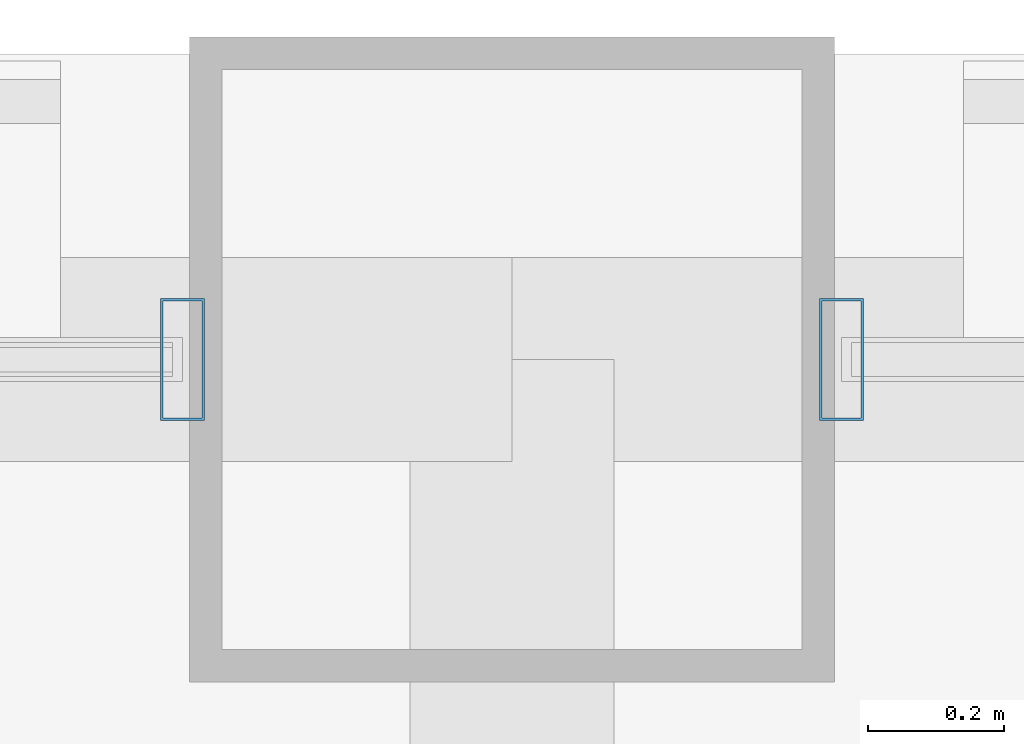
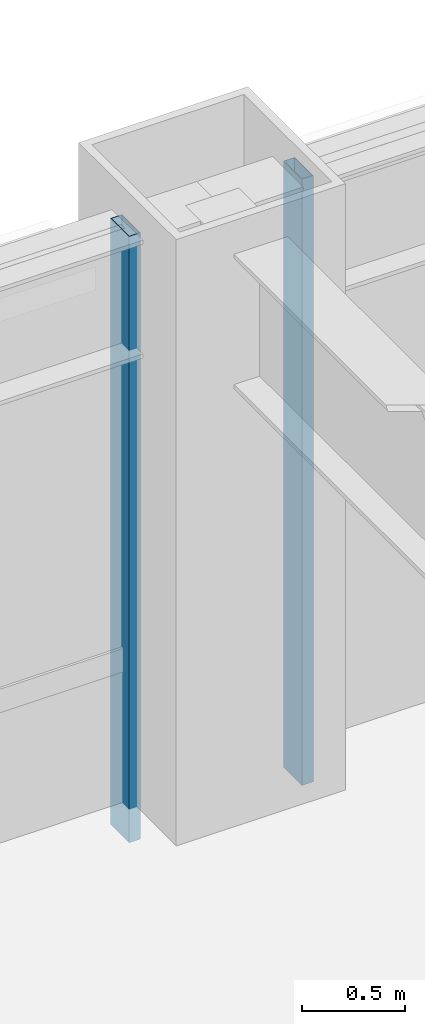
# One storey, part 19 of 31: 2 members, 2 elements without a shape of their own.
"""IFC4 building model written with IfcOpenShell, lengths in metres."""

from ifc_helpers import new_model, si_unit, direction, frame, origin, origin_2d, place, context, subcontext, project, spatial, hollow_rectangle, extrude, material, layer, layer_set, material_profile, profile_set, type_object, element, aggregate, save


model = new_model("IFC4")

# Units and contexts
model_context = context("Model", 3, precision=1e-05, world=origin(), true_north=direction((0.0, 1.0)))
body_context = subcontext(model_context, "Body", "Model", "MODEL_VIEW")
ifc_project = project(units=[si_unit("LENGTHUNIT", "METRE"), si_unit("AREAUNIT", "SQUARE_METRE"), si_unit("VOLUMEUNIT", "CUBIC_METRE"), si_unit("PLANEANGLEUNIT", "RADIAN"), si_unit("MASSUNIT", "GRAM", prefix="KILO")], contexts=[model_context])

# Site, building, storey
site_placement = place(None, origin())
site = spatial("IfcSite", under=ifc_project, at=site_placement, CompositionType="ELEMENT")
building_placement = place(site_placement, origin())
building = spatial("IfcBuilding", under=site, at=building_placement, Name="Brelmoor Portico Tower", CompositionType="ELEMENT")
storey_placement = place(building_placement, frame((0.0, 0.0, 27.60009765625)))
storey = spatial("IfcBuildingStorey", under=building, at=storey_placement, Name="L06", CompositionType="ELEMENT", Elevation=27.60009765625)

# Curtain wall, member
ifc_material = material(Name="Anodised Aluminium Alloy 6063-T6", Category="aluminium")
ifc_layer_1 = layer(ifc_material, 0.179931640625)
ifc_layer_set_1 = layer_set([ifc_layer_1], Name="Anodised Aluminium Alloy 6063-T6")
curtain_wall_type_1 = type_object("IfcCurtainWallType", Name="CW-TOWER-Z1", PredefinedType="NOTDEFINED", material=ifc_layer_set_1)
curtain_wall_1_placement = place(storey_placement, origin())
curtain_wall_1 = element("IfcCurtainWall", 1, at=curtain_wall_1_placement, inside=storey, type_object=curtain_wall_type_1, Name="L06 Curtain Wall CW-L06-2L-2", PredefinedType="NOTDEFINED")
ifc_material_profile = material_profile(ifc_material, hollow_rectangle(XDim=0.06494140625, YDim=0.179931640625, WallThickness=0.00390625, at=origin_2d()), Name="ALU MULLION 65x180")
ifc_profile_set = profile_set([ifc_material_profile], Name="Anodised Aluminium Alloy 6063-T6")
member_type = type_object("IfcMemberType", Name="MB-CW-MULL-180", PredefinedType="MULLION", material=ifc_profile_set)
member_1_placement = place(storey_placement, frame((-8.534912109375, 21.550048828125, -0.2001953125), z_axis=(0.0, 0.0, 1.0), x_axis=(1.0, 0.0, 0.0)))
member_1 = element("IfcMember", 2, at=member_1_placement, type_object=member_type, Name="CW-L06-2L-2 Mullion 01", PredefinedType="MULLION", context=body_context, shape_type="SweptSolid", body=[
    extrude(hollow_rectangle(XDim=0.06494140625, YDim=0.179931640625, WallThickness=0.00390625, at=origin_2d()), origin(), (0.0, 0.0, 1.0), 3.60009765625),
])
aggregate(curtain_wall_1, [member_1])

ifc_layer_2 = layer(ifc_material, 0.179931640625)
ifc_layer_set_2 = layer_set([ifc_layer_2], Name="Anodised Aluminium Alloy 6063-T6")
curtain_wall_type_2 = type_object("IfcCurtainWallType", Name="CW-TOWER-Z1-XB", PredefinedType="NOTDEFINED", material=ifc_layer_set_2)
curtain_wall_2_placement = place(storey_placement, origin())
curtain_wall_2 = element("IfcCurtainWall", 3, at=curtain_wall_2_placement, inside=storey, type_object=curtain_wall_type_2, Name="L06 Curtain Wall CW-L06-2L-3", PredefinedType="NOTDEFINED")
member_2_placement = place(storey_placement, frame((-7.56494140625, 21.550048828125, -0.2001953125), z_axis=(0.0, 0.0, 1.0), x_axis=(1.0, 0.0, 0.0)))
member_2 = element("IfcMember", 4, at=member_2_placement, type_object=member_type, Name="CW-L06-2L-3 Mullion 00", PredefinedType="MULLION", context=body_context, shape_type="SweptSolid", body=[
    extrude(hollow_rectangle(XDim=0.06494140625, YDim=0.179931640625, WallThickness=0.00390625, at=origin_2d()), origin(), (0.0, 0.0, 1.0), 3.60009765625),
])
aggregate(curtain_wall_2, [member_2])

save(model, "model.ifc")
